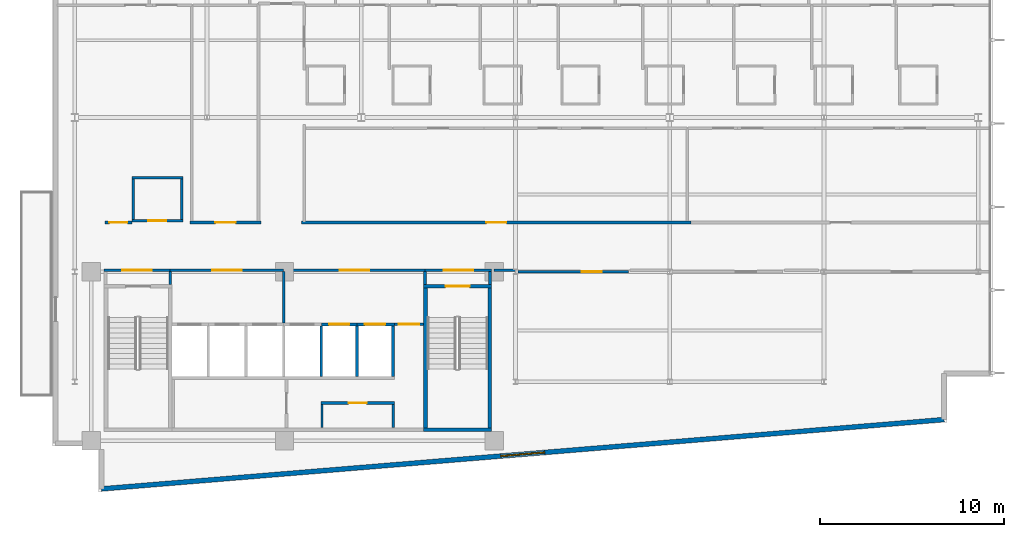
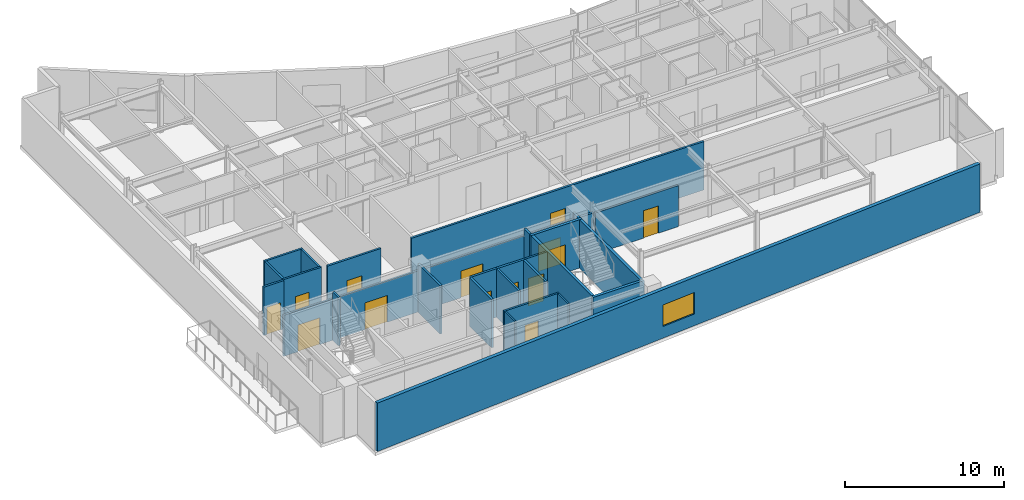
# One storey, part 11 of 17: 31 walls, 14 doors, 1 window, 15 openings.
"""IFC4 building model written with IfcOpenShell, lengths in metres."""

import ifcopenshell
import ifcopenshell.guid

model = None  # the IFC model being written
_history = None  # IfcOwnerHistory: only IFC2X3 demands one
_inside = {}  # id of a spatial element -> (the spatial element, [elements in it])
_under = {}  # id of a project, library or spatial element -> (it, [spatial elements below it])
_declared = {}  # id of a project -> (the project, [libraries it declares])
_typed = {}  # id of a type object -> (the type object, [elements of that type])
_made_of = {}  # id of a material, layer set ... -> (it, [elements and type objects made of it])


def new_model(schema):
    """Start an empty IFC model of exactly this schema.

    Asked for "IFC4X3", IfcOpenShell would pick the latest addendum, in which some entities
    have other attributes; the version numbers below select the first issue.
    IFC2X3 requires an IfcOwnerHistory on every rooted entity: one is made here for all.
    """
    global model, _history
    if schema == "IFC4X3":
        model = ifcopenshell.file(schema_version=(4, 3, 0, 0))
    else:
        model = ifcopenshell.file(schema=schema)
    _inside.clear()
    _under.clear()
    _declared.clear()
    _typed.clear()
    _made_of.clear()
    _history = None
    if model.schema == "IFC2X3":
        org = make("IfcOrganization", Name="unknown")
        user = make(
            "IfcPersonAndOrganization",
            ThePerson=make("IfcPerson", FamilyName="unknown"),
            TheOrganization=org,
        )
        app = make(
            "IfcApplication",
            ApplicationDeveloper=org,
            Version="unknown",
            ApplicationFullName="unknown",
            ApplicationIdentifier="unknown",
        )
        _history = make(
            "IfcOwnerHistory",
            OwningUser=user,
            OwningApplication=app,
            ChangeAction="ADDED",
            CreationDate=0,
        )
    return model


def make(cls, **values):
    """One entity of the class cls with the attributes given. An attribute that is None is left unset."""
    return model.create_entity(
        cls, **{name: value for name, value in values.items() if value is not None}
    )


def rooted(cls, **values):
    """An entity with a GlobalId (a new one), such as an element, a storey or a relation."""
    return make(cls, GlobalId=ifcopenshell.guid.new(), OwnerHistory=_history, **values)


def si_unit(unit_type, name, prefix=None):
    """IfcSIUnit, for example si_unit("LENGTHUNIT", "METRE", prefix="MILLI")."""
    return make("IfcSIUnit", UnitType=unit_type, Prefix=prefix, Name=name)


def assignment(units):
    """IfcUnitAssignment: the units of a project."""
    return None if units is None else make("IfcUnitAssignment", Units=units)


def point(xyz):
    """IfcCartesianPoint."""
    return None if xyz is None else make("IfcCartesianPoint", Coordinates=xyz)


def direction(xyz):
    """IfcDirection."""
    return None if xyz is None else make("IfcDirection", DirectionRatios=xyz)


def frame(location, z_axis=None, x_axis=None):
    """IfcAxis2Placement3D, a coordinate frame: its origin and axes. An axis left out is left unset."""
    return make(
        "IfcAxis2Placement3D",
        Location=point(location),
        Axis=direction(z_axis),
        RefDirection=direction(x_axis),
    )


def frame_2d(location, x_axis=None):
    """IfcAxis2Placement2D, a coordinate frame in the plane: its origin and x axis."""
    return make(
        "IfcAxis2Placement2D", Location=point(location), RefDirection=direction(x_axis)
    )


def origin():
    """The frame at (0, 0, 0) with its axes left unset."""
    return frame((0.0, 0.0, 0.0))


def place(relative_to, where):
    """IfcLocalPlacement: puts the frame where relative to a parent placement (None: the world)."""
    return make(
        "IfcLocalPlacement", PlacementRelTo=relative_to, RelativePlacement=where
    )


def context(
    kind, dimensions, precision=None, world=None, true_north=None, identifier=None
):
    """IfcGeometricRepresentationContext, for example the 3D "Model" context."""
    return make(
        "IfcGeometricRepresentationContext",
        ContextIdentifier=identifier,
        ContextType=kind,
        CoordinateSpaceDimension=dimensions,
        Precision=precision,
        WorldCoordinateSystem=world,
        TrueNorth=true_north,
    )


def subcontext(parent, identifier, kind, view, scale=None):
    """IfcGeometricRepresentationSubContext, for example "Body" below "Model"."""
    return make(
        "IfcGeometricRepresentationSubContext",
        ContextIdentifier=identifier,
        ContextType=kind,
        ParentContext=parent,
        TargetScale=scale,
        TargetView=view,
    )


def project(units=None, contexts=None):
    """IfcProject with its units and contexts."""
    return rooted(
        "IfcProject",
        Name="project",
        RepresentationContexts=contexts,
        UnitsInContext=assignment(units),
    )


def spatial(cls, under=None, at=None, **own):
    """A site, building, storey or space (cls), placed at a placement, below another one or the project."""
    s = rooted(cls, ObjectPlacement=at, **own)
    if under is not None:
        _under.setdefault(under.id(), (under, []))[1].append(s)
    return s


def profile(cls, at=None, kind="AREA", **sizes):
    """A parametric profile (cls). Its sizes go by their IFC names, for example OverallWidth=200.0."""
    return make(cls, ProfileType=kind, Position=at, **sizes)


def rectangle(**sizes):
    """IfcRectangleProfileDef."""
    return profile("IfcRectangleProfileDef", **sizes)


def extrude(swept, where, along, depth):
    """IfcExtrudedAreaSolid: the profile swept, set in the frame where, extruded along a direction by depth."""
    return make(
        "IfcExtrudedAreaSolid",
        SweptArea=swept,
        Position=where,
        ExtrudedDirection=direction(along),
        Depth=depth,
    )


def shape(context_of_items, identifier, shape_type, items):
    """IfcShapeRepresentation: the items that make up one representation, for example the "Body"."""
    return make(
        "IfcShapeRepresentation",
        ContextOfItems=context_of_items,
        RepresentationIdentifier=identifier,
        RepresentationType=shape_type,
        Items=items,
    )


def material(Name=None, Category=None):
    """IfcMaterial."""
    return make("IfcMaterial", Name=Name, Category=Category)


def layer(
    of_material, thickness, ventilated=None, Name=None, Category=None, Priority=None
):
    """IfcMaterialLayer: one layer of a wall or slab, of a material (None: an air gap)."""
    return make(
        "IfcMaterialLayer",
        Material=of_material,
        LayerThickness=thickness,
        IsVentilated=ventilated,
        Name=Name,
        Category=Category,
        Priority=Priority,
    )


def layer_set(layers, Name=None):
    """IfcMaterialLayerSet."""
    return make("IfcMaterialLayerSet", MaterialLayers=layers, LayerSetName=Name)


def made_of(thing, what):
    """Note that an element or type object is made of a material, layer set ...; save() writes the relation."""
    if what is not None:
        _made_of.setdefault(what.id(), (what, []))[1].append(thing)
    return thing


def type_object(cls, material=None, **own):
    """A type object (cls), such as IfcWallType, which elements share."""
    return made_of(rooted(cls, **own), material)


def element(
    cls,
    number,
    at=None,
    inside=None,
    cuts=None,
    type_object=None,
    material=None,
    context=None,
    identifier="Body",
    shape_type=None,
    held_by="IfcProductDefinitionShape",
    body=None,
    shapes=None,
    **own,
):
    """One element of the class cls, such as IfcWall. Its Tag is "e" and its number.

    at: its placement. inside: the storey or other place that contains it. cuts: it is an
    opening in that element (IfcRelVoidsElement). A single representation is given by context,
    identifier, shape_type and body (its items); several are given by shapes. held_by: the class
    of the entity that holds the representations. save() writes the other relations.
    """
    e = rooted(cls, Tag="e%d" % number, ObjectPlacement=at, **own)
    if body is not None:
        shapes = [shape(context, identifier, shape_type, body)]
    if shapes is not None:
        e.Representation = make(held_by, Representations=shapes)
    if inside is not None:
        _inside.setdefault(inside.id(), (inside, []))[1].append(e)
    if cuts is not None:
        rooted(
            "IfcRelVoidsElement", RelatingBuildingElement=cuts, RelatedOpeningElement=e
        )
    if type_object is not None:
        _typed.setdefault(type_object.id(), (type_object, []))[1].append(e)
    return made_of(e, material)


def fill(opening, filler):
    """IfcRelFillsElement: the door or window that sits in an opening."""
    return rooted(
        "IfcRelFillsElement",
        RelatingOpeningElement=opening,
        RelatedBuildingElement=filler,
    )


def aggregate(whole, parts):
    """IfcRelAggregates: a whole, such as a stair, and the parts it consists of."""
    return rooted("IfcRelAggregates", RelatingObject=whole, RelatedObjects=parts)


def save(model, path):
    """Write the relations noted so far, then the file.

    IfcRelAggregates (storeys below a building ...), IfcRelContainedInSpatialStructure (elements
    in a storey), IfcRelDefinesByType, IfcRelAssociatesMaterial and IfcRelDeclares: one each for
    every whole, place, type object, material and project.
    """
    for whole, parts in _under.values():
        aggregate(whole, parts)
    for where, things in _inside.values():
        rooted(
            "IfcRelContainedInSpatialStructure",
            RelatedElements=things,
            RelatingStructure=where,
        )
    for kind, things in _typed.values():
        rooted("IfcRelDefinesByType", RelatedObjects=things, RelatingType=kind)
    for what, things in _made_of.values():
        rooted("IfcRelAssociatesMaterial", RelatedObjects=things, RelatingMaterial=what)
    for by, libraries in _declared.values():
        rooted("IfcRelDeclares", RelatingContext=by, RelatedDefinitions=libraries)
    model.write(path)


model = new_model("IFC4")

# Units and contexts
model_context = context("Model", 3, precision=1e-05, world=origin(), true_north=direction((0.0, 1.0)))
body_context = subcontext(model_context, "Body", "Model", "MODEL_VIEW")
ifc_project = project(units=[si_unit("LENGTHUNIT", "METRE"), si_unit("AREAUNIT", "SQUARE_METRE"), si_unit("VOLUMEUNIT", "CUBIC_METRE"), si_unit("PLANEANGLEUNIT", "RADIAN"), si_unit("MASSUNIT", "GRAM", prefix="KILO")], contexts=[model_context])

# Site, building, storey
site_placement = place(None, origin())
site = spatial("IfcSite", under=ifc_project, at=site_placement, CompositionType="ELEMENT")
building_placement = place(site_placement, origin())
building = spatial("IfcBuilding", under=site, at=building_placement, Name="Varnakote Quay Hospital", CompositionType="ELEMENT")
storey_placement = place(building_placement, frame((0.0, 0.0, 219.75)))
storey = spatial("IfcBuildingStorey", under=building, at=storey_placement, Name="L54", CompositionType="ELEMENT", Elevation=219.75)

# Wall, opening, door
ifc_material_1 = material(Name="Fire-rated acoustic gypsum stud wall", Category="gypsum")
ifc_layer_1 = layer(ifc_material_1, 0.159912109375)
ifc_layer_set_1 = layer_set([ifc_layer_1], Name="Fire-rated acoustic gypsum stud wall")
wall_type_1 = type_object("IfcWallType", Name="WL-COMP-160", PredefinedType="PARTITIONING", material=ifc_layer_set_1)
wall_1_placement = place(storey_placement, frame((2.800048828125, 12.080078125, 0.0), z_axis=(0.0, 0.0, 1.0), x_axis=(1.0, 0.0, 0.0)))
wall_1 = element("IfcWall", 1, at=wall_1_placement, inside=storey, type_object=wall_type_1, Name="L54 West Stair Vestibule Smoke Wall", PredefinedType="PARTITIONING", context=body_context, shape_type="SweptSolid", body=[
    extrude(rectangle(XDim=3.599853515625, YDim=0.159912109375, at=frame_2d((1.7998046875, 0.0))), origin(), (0.0, 0.0, 1.0), 3.152099609375),
])
opening_1_placement = place(wall_1_placement, frame((1.0, 0.0, 0.0)))
opening_1 = element("IfcOpeningElement", 2, at=opening_1_placement, cuts=wall_1, Name="Opening D-ST1L-L54", PredefinedType="OPENING", context=body_context, shape_type="SweptSolid", body=[
    extrude(rectangle(XDim=1.60009765625, YDim=2.050048828125, at=frame_2d((0.800048828125, 1.02490234375))), frame((0.0, 0.08984375, 0.0), z_axis=(0.0, -1.0, 0.0), x_axis=(1.0, 0.0, 0.0)), (0.0, 0.0, 1.0), 0.179931640625),
])
ifc_material_2 = material(Name="Fire-rated double smoke lobby door")
door_type_1 = type_object("IfcDoorType", Name="DR-LOBBY-FD60S-1600x2150", OperationType="NOTDEFINED", PredefinedType="DOOR", material=ifc_material_2)
door_1_placement = place(opening_1_placement, origin())
door_1 = element("IfcDoor", 3, at=door_1_placement, inside=storey, type_object=door_type_1, Name="L54 West Stair Vestibule Smoke Door", OperationType="DOUBLE_DOOR_SINGLE_SWING", OverallHeight=2.050048828125, OverallWidth=1.60009765625, PredefinedType="DOOR", context=body_context, shape_type="SweptSolid", body=[
    extrude(rectangle(XDim=1.60009765625, YDim=2.050048828125, at=frame_2d((0.800048828125, 1.02490234375))), frame((0.0, 0.02490234375, 0.0), z_axis=(0.0, -1.0, 0.0), x_axis=(1.0, 0.0, 0.0)), (0.0, 0.0, 1.0), 0.050048828125),
])
fill(opening_1, door_1)

# Wall
wall_2_placement = place(storey_placement, frame((6.39990234375, 11.300048828125, 0.0), z_axis=(0.0, 0.0, 1.0), x_axis=(0.0, 1.0, 0.0)))
element("IfcWall", 4, at=wall_2_placement, inside=storey, type_object=wall_type_1, Name="L54 Firefighting Lobby West Wall", PredefinedType="PARTITIONING", context=body_context, shape_type="SweptSolid", body=[
    extrude(rectangle(XDim=0.699951171875, YDim=0.159912109375, at=frame_2d((0.35009765625, 0.0))), origin(), (0.0, 0.0, 1.0), 3.7099609375),
])

# Wall, opening, door
wall_3_placement = place(storey_placement, frame((6.39990234375, 12.080078125, 0.0), z_axis=(0.0, 0.0, 1.0), x_axis=(1.0, 0.0, 0.0)))
wall_3 = element("IfcWall", 5, at=wall_3_placement, inside=storey, type_object=wall_type_1, Name="L54 Firefighting Lift Lobby Compartment Wall", PredefinedType="PARTITIONING", context=body_context, shape_type="SweptSolid", body=[
    extrude(rectangle(XDim=6.18017578125, YDim=0.159912109375, at=frame_2d((3.090087890625, 0.0))), origin(), (0.0, 0.0, 1.0), 3.152099609375),
])
opening_2_placement = place(wall_3_placement, frame((2.2900390625, 0.0, 0.0)))
opening_2 = element("IfcOpeningElement", 6, at=opening_2_placement, cuts=wall_3, Name="Opening D-FFL-L54", PredefinedType="OPENING", context=body_context, shape_type="SweptSolid", body=[
    extrude(rectangle(XDim=1.60009765625, YDim=2.050048828125, at=frame_2d((0.800048828125, 1.02490234375))), frame((0.0, 0.08984375, 0.0), z_axis=(0.0, -1.0, 0.0), x_axis=(1.0, 0.0, 0.0)), (0.0, 0.0, 1.0), 0.179931640625),
])
door_2_placement = place(opening_2_placement, origin())
door_2 = element("IfcDoor", 7, at=door_2_placement, inside=storey, type_object=door_type_1, Name="L54 Firefighting Smoke Vestibule Door", OperationType="DOUBLE_DOOR_SINGLE_SWING", OverallHeight=2.050048828125, OverallWidth=1.60009765625, PredefinedType="DOOR", context=body_context, shape_type="SweptSolid", body=[
    extrude(rectangle(XDim=1.60009765625, YDim=2.050048828125, at=frame_2d((0.800048828125, 1.02490234375))), frame((0.0, 0.02490234375, 0.0), z_axis=(0.0, -1.0, 0.0), x_axis=(1.0, 0.0, 0.0)), (0.0, 0.0, 1.0), 0.050048828125),
])
fill(opening_2, door_2)

# Wall
wall_4_placement = place(storey_placement, frame((12.580078125, 9.2099609375, 0.0), z_axis=(0.0, 0.0, 1.0), x_axis=(0.0, 1.0, 0.0)))
element("IfcWall", 8, at=wall_4_placement, inside=storey, type_object=wall_type_1, Name="L54 Firefighting to Service Lobby Wall", PredefinedType="PARTITIONING", context=body_context, shape_type="SweptSolid", body=[
    extrude(rectangle(XDim=2.7900390625, YDim=0.159912109375, at=frame_2d((1.39501953125, 0.0))), origin(), (0.0, 0.0, 1.0), 3.7099609375),
])

# Wall, opening, door
wall_5_placement = place(storey_placement, frame((12.580078125, 12.080078125, 0.0), z_axis=(0.0, 0.0, 1.0), x_axis=(1.0, 0.0, 0.0)))
wall_5 = element("IfcWall", 9, at=wall_5_placement, inside=storey, type_object=wall_type_1, Name="L54 Clinical Bed Lift Lobby Wall", PredefinedType="PARTITIONING", context=body_context, shape_type="SweptSolid", body=[
    extrude(rectangle(XDim=7.699951171875, YDim=0.159912109375, at=frame_2d((3.85009765625, 0.0))), origin(), (0.0, 0.0, 1.0), 3.152099609375),
])
opening_3_placement = place(wall_5_placement, frame((3.050048828125, 0.0, 0.0)))
opening_3 = element("IfcOpeningElement", 10, at=opening_3_placement, cuts=wall_5, Name="Opening D-SVL-L54", PredefinedType="OPENING", context=body_context, shape_type="SweptSolid", body=[
    extrude(rectangle(XDim=1.60009765625, YDim=2.050048828125, at=frame_2d((0.800048828125, 1.02490234375))), frame((0.0, 0.08984375, 0.0), z_axis=(0.0, -1.0, 0.0), x_axis=(1.0, 0.0, 0.0)), (0.0, 0.0, 1.0), 0.179931640625),
])
door_3_placement = place(opening_3_placement, origin())
door_3 = element("IfcDoor", 11, at=door_3_placement, inside=storey, type_object=door_type_1, Name="L54 Clinical Core Smoke Vestibule Door", OperationType="DOUBLE_DOOR_SINGLE_SWING", OverallHeight=2.050048828125, OverallWidth=1.60009765625, PredefinedType="DOOR", context=body_context, shape_type="SweptSolid", body=[
    extrude(rectangle(XDim=1.60009765625, YDim=2.050048828125, at=frame_2d((0.800048828125, 1.02490234375))), frame((0.0, 0.02490234375, 0.0), z_axis=(0.0, -1.0, 0.0), x_axis=(1.0, 0.0, 0.0)), (0.0, 0.0, 1.0), 0.050048828125),
])
fill(opening_3, door_3)

# Wall
wall_6_placement = place(storey_placement, frame((20.280029296875, 11.300048828125, 0.0), z_axis=(0.0, 0.0, 1.0), x_axis=(0.0, 1.0, 0.0)))
element("IfcWall", 12, at=wall_6_placement, inside=storey, type_object=wall_type_1, Name="L54 East Stair Vestibule Divider Wall", PredefinedType="PARTITIONING", context=body_context, shape_type="SweptSolid", body=[
    extrude(rectangle(XDim=0.699951171875, YDim=0.159912109375, at=frame_2d((0.35009765625, 0.0))), origin(), (0.0, 0.0, 1.0), 3.7099609375),
])

# Wall, opening, door
wall_7_placement = place(storey_placement, frame((20.280029296875, 12.080078125, 0.0), z_axis=(0.0, 0.0, 1.0), x_axis=(1.0, 0.0, 0.0)))
wall_7 = element("IfcWall", 13, at=wall_7_placement, inside=storey, type_object=wall_type_1, Name="L54 East Stair Vestibule Smoke Wall", PredefinedType="PARTITIONING", context=body_context, shape_type="SweptSolid", body=[
    extrude(rectangle(XDim=3.619873046875, YDim=0.159912109375, at=frame_2d((1.81005859375, 0.0))), origin(), (0.0, 0.0, 1.0), 3.152099609375),
])
opening_4_placement = place(wall_7_placement, frame((1.010009765625, 0.0, 0.0)))
opening_4 = element("IfcOpeningElement", 14, at=opening_4_placement, cuts=wall_7, Name="Opening D-ST2L-L54", PredefinedType="OPENING", context=body_context, shape_type="SweptSolid", body=[
    extrude(rectangle(XDim=1.60009765625, YDim=2.050048828125, at=frame_2d((0.800048828125, 1.02490234375))), frame((0.0, 0.08984375, 0.0), z_axis=(0.0, -1.0, 0.0), x_axis=(1.0, 0.0, 0.0)), (0.0, 0.0, 1.0), 0.179931640625),
])
door_4_placement = place(opening_4_placement, origin())
door_4 = element("IfcDoor", 15, at=door_4_placement, inside=storey, type_object=door_type_1, Name="L54 East Stair Vestibule Smoke Door", OperationType="DOUBLE_DOOR_SINGLE_SWING", OverallHeight=2.050048828125, OverallWidth=1.60009765625, PredefinedType="DOOR", context=body_context, shape_type="SweptSolid", body=[
    extrude(rectangle(XDim=1.60009765625, YDim=2.050048828125, at=frame_2d((0.800048828125, 1.02490234375))), frame((0.0, 0.02490234375, 0.0), z_axis=(0.0, -1.0, 0.0), x_axis=(1.0, 0.0, 0.0)), (0.0, 0.0, 1.0), 0.050048828125),
])
fill(opening_4, door_4)

# Walls
wall_8_placement = place(storey_placement, frame((23.820068359375, 11.300048828125, 0.0), z_axis=(0.0, 0.0, 1.0), x_axis=(0.0, 1.0, 0.0)))
element("IfcWall", 16, at=wall_8_placement, inside=storey, type_object=wall_type_1, Name="L54 East Stair Vestibule East Wall", PredefinedType="PARTITIONING", context=body_context, shape_type="SweptSolid", body=[
    extrude(rectangle(XDim=0.699951171875, YDim=0.159912109375, at=frame_2d((0.35009765625, 0.0))), origin(), (0.0, 0.0, 1.0), 3.7099609375),
])
wall_9_placement = place(storey_placement, frame((24.02001953125, 12.080078125, 0.0), z_axis=(0.0, 0.0, 1.0), x_axis=(1.0, 0.0, 0.0)))
element("IfcWall", 17, at=wall_9_placement, inside=storey, type_object=wall_type_1, Name="L54 Corridor South Gap Wall", PredefinedType="PARTITIONING", context=body_context, shape_type="SweptSolid", body=[
    extrude(rectangle(XDim=1.21875, YDim=0.159912109375, at=frame_2d((0.609375, 0.0))), origin(), (0.0, 0.0, 1.0), 3.152099609375),
])

# Wall, opening, window
ifc_material_3 = material(Name="Precast concrete N50 (f'c 50 MPa)", Category="concrete")
ifc_layer_2 = layer(ifc_material_3, 0.260009765625)
ifc_layer_set_2 = layer_set([ifc_layer_2], Name="Precast concrete N50 (f'c 50 MPa)")
wall_type_2 = type_object("IfcWallType", Name="WL-EXT-BRICK-260", PredefinedType="STANDARD", material=ifc_layer_set_2)
wall_10_placement = place(storey_placement, frame((2.659912109375, 0.173583984375, 0.0), z_axis=(0.0, 0.0, 1.0), x_axis=(0.996634028439, 0.081979347142, 0.0)))
wall_10 = element("IfcWall", 18, at=wall_10_placement, inside=storey, type_object=wall_type_2, Name="L54 Brick-Faced Precast Exterior Wall", PredefinedType="STANDARD", context=body_context, shape_type="SweptSolid", body=[
    extrude(rectangle(XDim=46.03515625, YDim=0.260009765625, at=frame_2d((23.017578125, 0.0))), origin(), (0.0, 0.0, 1.0), 3.7099609375),
])
opening_5_placement = place(wall_10_placement, frame((21.8173828125, 0.0, 0.89990234375)))
opening_5 = element("IfcOpeningElement", 19, at=opening_5_placement, cuts=wall_10, Name="Opening WN-0222", PredefinedType="OPENING", context=body_context, shape_type="SweptSolid", body=[
    extrude(rectangle(XDim=2.39990234375, YDim=1.64990234375, at=frame_2d((1.199951171875, 0.824951171875))), frame((0.0, 0.139892578125, 0.0), z_axis=(0.0, -1.0, 0.0), x_axis=(1.0, 0.0, 0.0)), (0.0, 0.0, 1.0), 0.280029296875),
])
ifc_material_4 = material(Name="Double-glazed low-E solar glass", Category="glass")
window_type = type_object("IfcWindowType", Name="WIN-CLIN-2400x1650", PartitioningType="SINGLE_PANEL", PredefinedType="WINDOW", material=ifc_material_4)
window_placement = place(opening_5_placement, origin())
window = element("IfcWindow", 20, at=window_placement, inside=storey, type_object=window_type, Name="L54 Solar-Control Clinical Window", OverallHeight=1.64990234375, OverallWidth=2.39990234375, PartitioningType="SINGLE_PANEL", PredefinedType="WINDOW", context=body_context, shape_type="SweptSolid", body=[
    extrude(rectangle(XDim=2.39990234375, YDim=1.64990234375, at=frame_2d((1.199951171875, 0.824951171875))), frame((0.0, 0.030029296875, 0.0), z_axis=(0.0, -1.0, 0.0), x_axis=(1.0, 0.0, 0.0)), (0.0, 0.0, 1.0), 0.06005859375),
])
fill(opening_5, window)

# Walls
ifc_material_5 = material(Name="Concrete N50 (f'c 50 MPa)", Category="concrete")
ifc_layer_3 = layer(ifc_material_5, 0.14990234375)
ifc_layer_set_3 = layer_set([ifc_layer_3], Name="Concrete N50 (f'c 50 MPa)")
wall_type_3 = type_object("IfcWallType", Name="WL-SHAFT-N50-150", PredefinedType="SHEAR", material=ifc_layer_set_3)
for number, where, z_axis, x_axis, name in (
    (21, (14.625, 6.300048828125, 0.0), (0.0, 0.0, 1.0), (0.0, 1.0, 0.0), "L54 LF-SV2 Hoistway Divider Wall"),
    (22, (16.574951171875, 6.300048828125, 0.0), (0.0, 0.0, 1.0), (0.0, 1.0, 0.0), "L54 LF-PH1 Hoistway Divider Wall"),
):
    element("IfcWall", number, at=place(storey_placement, frame(where, z_axis=z_axis, x_axis=x_axis)), inside=storey, type_object=wall_type_3, Name=name, PredefinedType="SHEAR", context=body_context, shape_type="SweptSolid", body=[
        extrude(rectangle(XDim=2.75, YDim=0.14990234375, at=frame_2d((1.375, 0.0))), origin(), (0.0, 0.0, 1.0), 3.7099609375),
    ])
ifc_material_6 = material(Name="Concrete N50 (f'c 50 MPa)", Category="concrete")
ifc_layer_4 = layer(ifc_material_6, 0.159912109375)
ifc_layer_set_4 = layer_set([ifc_layer_4], Name="Concrete N50 (f'c 50 MPa)")
wall_type_4 = type_object("IfcWallType", Name="WL-SHAFT-N50-160", PredefinedType="SHEAR", material=ifc_layer_set_4)
wall_11_placement = place(storey_placement, frame((18.530029296875, 6.300048828125, 0.0), z_axis=(0.0, 0.0, 1.0), x_axis=(0.0, 1.0, 0.0)))
element("IfcWall", 23, at=wall_11_placement, inside=storey, type_object=wall_type_4, Name="L54 REAR Lift Bank East Shear Wall", PredefinedType="SHEAR", context=body_context, shape_type="SweptSolid", body=[
    extrude(rectangle(XDim=2.75, YDim=0.159912109375, at=frame_2d((1.375, 0.0))), origin(), (0.0, 0.0, 1.0), 3.7099609375),
])

# Wall, opening, door
wall_12_placement = place(storey_placement, frame((14.625, 9.1298828125, 0.0), z_axis=(0.0, 0.0, 1.0), x_axis=(1.0, 0.0, 0.0)))
wall_12 = element("IfcWall", 24, at=wall_12_placement, inside=storey, type_object=wall_type_4, Name="L54 LF-PH1 Hoistway Front Wall", PredefinedType="SHEAR", context=body_context, shape_type="SweptSolid", body=[
    extrude(rectangle(XDim=1.949951171875, YDim=0.159912109375, at=frame_2d((0.97509765625, 0.0))), origin(), (0.0, 0.0, 1.0), 3.7099609375),
])
opening_6_placement = place(wall_12_placement, frame((0.425048828125, 0.0, 0.0)))
opening_6 = element("IfcOpeningElement", 25, at=opening_6_placement, cuts=wall_12, Name="Opening LD-PH1-L54", PredefinedType="OPENING", context=body_context, shape_type="SweptSolid", body=[
    extrude(rectangle(XDim=1.10009765625, YDim=2.14990234375, at=frame_2d((0.550048828125, 1.074951171875))), frame((0.0, 0.08984375, 0.0), z_axis=(0.0, -1.0, 0.0), x_axis=(1.0, 0.0, 0.0)), (0.0, 0.0, 1.0), 0.179931640625),
])
ifc_material_7 = material(Name="Brushed bronze lift landing sliding door")
door_type_2 = type_object("IfcDoorType", Name="DR-LIFT-LD-1100x2150", OperationType="NOTDEFINED", PredefinedType="DOOR", material=ifc_material_7)
door_5_placement = place(opening_6_placement, origin())
door_5 = element("IfcDoor", 26, at=door_5_placement, inside=storey, type_object=door_type_2, Name="L54 LF-PH1 Lift Landing Sliding Door", OperationType="SLIDING_TO_LEFT", OverallHeight=2.14990234375, OverallWidth=1.10009765625, PredefinedType="DOOR", context=body_context, shape_type="SweptSolid", body=[
    extrude(rectangle(XDim=1.10009765625, YDim=2.14990234375, at=frame_2d((0.550048828125, 1.074951171875))), frame((0.0, 0.02490234375, 0.0), z_axis=(0.0, -1.0, 0.0), x_axis=(1.0, 0.0, 0.0)), (0.0, 0.0, 1.0), 0.050048828125),
])
fill(opening_6, door_5)

wall_13_placement = place(storey_placement, frame((16.574951171875, 9.1298828125, 0.0), z_axis=(0.0, 0.0, 1.0), x_axis=(1.0, 0.0, 0.0)))
wall_13 = element("IfcWall", 27, at=wall_13_placement, inside=storey, type_object=wall_type_4, Name="L54 LF-PH2 Hoistway Front Wall", PredefinedType="SHEAR", context=body_context, shape_type="SweptSolid", body=[
    extrude(rectangle(XDim=2.03515625, YDim=0.159912109375, at=frame_2d((1.017578125, 0.0))), origin(), (0.0, 0.0, 1.0), 3.7099609375),
])
opening_7_placement = place(wall_13_placement, frame((0.425048828125, 0.0, 0.0)))
opening_7 = element("IfcOpeningElement", 28, at=opening_7_placement, cuts=wall_13, Name="Opening LD-PH2-L54", PredefinedType="OPENING", context=body_context, shape_type="SweptSolid", body=[
    extrude(rectangle(XDim=1.10009765625, YDim=2.14990234375, at=frame_2d((0.550048828125, 1.074951171875))), frame((0.0, 0.08984375, 0.0), z_axis=(0.0, -1.0, 0.0), x_axis=(1.0, 0.0, 0.0)), (0.0, 0.0, 1.0), 0.179931640625),
])
door_6_placement = place(opening_7_placement, origin())
door_6 = element("IfcDoor", 29, at=door_6_placement, inside=storey, type_object=door_type_2, Name="L54 LF-PH2 Lift Landing Sliding Door", OperationType="SLIDING_TO_LEFT", OverallHeight=2.14990234375, OverallWidth=1.10009765625, PredefinedType="DOOR", context=body_context, shape_type="SweptSolid", body=[
    extrude(rectangle(XDim=1.10009765625, YDim=2.14990234375, at=frame_2d((0.550048828125, 1.074951171875))), frame((0.0, 0.02490234375, 0.0), z_axis=(0.0, -1.0, 0.0), x_axis=(1.0, 0.0, 0.0)), (0.0, 0.0, 1.0), 0.050048828125),
])
fill(opening_7, door_6)

# Walls
ifc_material_8 = material(Name="Concrete N50 (f'c 50 MPa)", Category="concrete")
ifc_layer_5 = layer(ifc_material_8, 0.199951171875)
ifc_layer_set_5 = layer_set([ifc_layer_5], Name="Concrete N50 (f'c 50 MPa)")
wall_type_5 = type_object("IfcWallType", Name="WL-SHAFT-N50-200", PredefinedType="SHEAR", material=ifc_layer_set_5)
wall_14_placement = place(storey_placement, frame((20.199951171875, 3.39990234375, 0.0), z_axis=(0.0, 0.0, 1.0), x_axis=(1.0, 0.0, 0.0)))
element("IfcWall", 30, at=wall_14_placement, inside=storey, type_object=wall_type_5, Name="L54 Stair ST2 South Shaft Wall", PredefinedType="SHEAR", context=body_context, shape_type="SweptSolid", body=[
    extrude(rectangle(XDim=3.699951171875, YDim=0.199951171875, at=frame_2d((1.85009765625, 0.0))), origin(), (0.0, 0.0, 1.0), 3.7099609375),
])
for number, where, z_axis, x_axis, name in (
    (31, (20.300048828125, 3.5, 0.0), (0.0, 0.0, 1.0), (0.0, 1.0, 0.0), "L54 Stair ST2 West Shaft Wall"),
    (32, (23.800048828125, 3.5, 0.0), (0.0, 0.0, 1.0), (0.0, 1.0, 0.0), "L54 Stair ST2 East Shaft Wall"),
):
    element("IfcWall", number, at=place(storey_placement, frame(where, z_axis=z_axis, x_axis=x_axis)), inside=storey, type_object=wall_type_5, Name=name, PredefinedType="SHEAR", context=body_context, shape_type="SweptSolid", body=[
        extrude(rectangle(XDim=7.60009765625, YDim=0.199951171875, at=frame_2d((3.800048828125, 0.0))), origin(), (0.0, 0.0, 1.0), 3.7099609375),
    ])

# Wall, opening, door
wall_15_placement = place(storey_placement, frame((20.199951171875, 11.199951171875, 0.0), z_axis=(0.0, 0.0, 1.0), x_axis=(1.0, 0.0, 0.0)))
wall_15 = element("IfcWall", 33, at=wall_15_placement, inside=storey, type_object=wall_type_5, Name="L54 Stair ST2 Exit Wall", PredefinedType="SHEAR", context=body_context, shape_type="SweptSolid", body=[
    extrude(rectangle(XDim=3.699951171875, YDim=0.199951171875, at=frame_2d((1.85009765625, 0.0))), origin(), (0.0, 0.0, 1.0), 3.7099609375),
])
opening_8_placement = place(wall_15_placement, frame((1.199951171875, 0.0, 0.0)))
opening_8 = element("IfcOpeningElement", 34, at=opening_8_placement, cuts=wall_15, Name="Opening D-ST2-L54", PredefinedType="OPENING", context=body_context, shape_type="SweptSolid", body=[
    extrude(rectangle(XDim=1.300048828125, YDim=2.14990234375, at=frame_2d((0.64990234375, 1.074951171875))), frame((0.0, 0.10986328125, 0.0), z_axis=(0.0, -1.0, 0.0), x_axis=(1.0, 0.0, 0.0)), (0.0, 0.0, 1.0), 0.219970703125),
])
ifc_material_9 = material(Name="Fire-rated ceramic-glazed timber exit door", Category="wood")
door_type_3 = type_object("IfcDoorType", Name="DR-STAIR-FD60S-1300x2150", OperationType="NOTDEFINED", PredefinedType="DOOR", material=ifc_material_9)
door_7_placement = place(opening_8_placement, origin())
door_7 = element("IfcDoor", 35, at=door_7_placement, inside=storey, type_object=door_type_3, Name="L54 Stair ST2 Fire Exit Door", OperationType="SINGLE_SWING_RIGHT", OverallHeight=2.14990234375, OverallWidth=1.300048828125, PredefinedType="DOOR", context=body_context, shape_type="SweptSolid", body=[
    extrude(rectangle(XDim=1.300048828125, YDim=2.14990234375, at=frame_2d((0.64990234375, 1.074951171875))), frame((0.0, 0.02490234375, 0.0), z_axis=(0.0, -1.0, 0.0), x_axis=(1.0, 0.0, 0.0)), (0.0, 0.0, 1.0), 0.050048828125),
])
fill(opening_8, door_7)

# Walls
ifc_material_10 = material(Name="Smoke-proof clinical partition", Category="gypsum")
ifc_layer_6 = layer(ifc_material_10, 0.1201171875)
ifc_layer_set_6 = layer_set([ifc_layer_6], Name="Smoke-proof clinical partition")
wall_type_6 = type_object("IfcWallType", Name="WL-SMOKE-120", PredefinedType="PARTITIONING", material=ifc_layer_set_6)
for number, where, z_axis, x_axis, name in (
    (36, (14.669921875, 3.52001953125, 0.0), (0.0, 0.0, 1.0), (0.0, 1.0, 0.0), "L54 Core WC West Wall"),
    (37, (18.5400390625, 3.52001953125, 0.0), (0.0, 0.0, 1.0), (0.0, 1.0, 0.0), "L54 Core WC East Wall"),
):
    element("IfcWall", number, at=place(storey_placement, frame(where, z_axis=z_axis, x_axis=x_axis)), inside=storey, type_object=wall_type_6, Name=name, PredefinedType="PARTITIONING", context=body_context, shape_type="SweptSolid", body=[
        extrude(rectangle(XDim=1.260009765625, YDim=0.1201171875, at=frame_2d((0.6298828125, 0.0))), origin(), (0.0, 0.0, 1.0), 3.7099609375),
    ])

# Wall, opening, door
ifc_material_11 = material(Name="Fire-rated clinical gypsum partition", Category="gypsum")
ifc_layer_7 = layer(ifc_material_11, 0.139892578125)
ifc_layer_set_7 = layer_set([ifc_layer_7], Name="Fire-rated clinical gypsum partition")
wall_type_7 = type_object("IfcWallType", Name="WL-WARD-140", PredefinedType="PARTITIONING", material=ifc_layer_set_7)
wall_16_placement = place(storey_placement, frame((14.60009765625, 4.85009765625, 0.0), z_axis=(0.0, 0.0, 1.0), x_axis=(1.0, 0.0, 0.0)))
wall_16 = element("IfcWall", 38, at=wall_16_placement, inside=storey, type_object=wall_type_7, Name="L54 Core Staff Sanitary WC North Wall", PredefinedType="PARTITIONING", context=body_context, shape_type="SweptSolid", body=[
    extrude(rectangle(XDim=4.0, YDim=0.139892578125, at=frame_2d((2.0, 0.0))), origin(), (0.0, 0.0, 1.0), 3.7099609375),
])
opening_9_placement = place(wall_16_placement, frame((1.510009765625, 0.0, 0.0)))
opening_9 = element("IfcOpeningElement", 39, at=opening_9_placement, cuts=wall_16, Name="Opening D-L54-CR02", PredefinedType="OPENING", context=body_context, shape_type="SweptSolid", body=[
    extrude(rectangle(XDim=0.97998046875, YDim=2.10009765625, at=frame_2d((0.489990234375, 1.050048828125))), frame((0.0, 0.079833984375, 0.0), z_axis=(0.0, -1.0, 0.0), x_axis=(1.0, 0.0, 0.0)), (0.0, 0.0, 1.0), 0.159912109375),
])
ifc_material_12 = material(Name="Accessible sanitary compartment door")
door_type_4 = type_object("IfcDoorType", Name="DR-WC-980x2100", OperationType="NOTDEFINED", PredefinedType="DOOR", material=ifc_material_12)
door_8_placement = place(opening_9_placement, origin())
door_8 = element("IfcDoor", 40, at=door_8_placement, inside=storey, type_object=door_type_4, Name="L54 Core Staff Sanitary WC Door", OperationType="SINGLE_SWING_RIGHT", OverallHeight=2.10009765625, OverallWidth=0.97998046875, PredefinedType="DOOR", context=body_context, shape_type="SweptSolid", body=[
    extrude(rectangle(XDim=0.97998046875, YDim=2.10009765625, at=frame_2d((0.489990234375, 1.050048828125))), frame((0.0, 0.02490234375, 0.0), z_axis=(0.0, -1.0, 0.0), x_axis=(1.0, 0.0, 0.0)), (0.0, 0.0, 1.0), 0.050048828125),
])
fill(opening_9, door_8)

wall_17_placement = place(storey_placement, frame((18.610107421875, 9.1298828125, 0.0), z_axis=(0.0, 0.0, 1.0), x_axis=(1.0, 0.0, 0.0)))
wall_17 = element("IfcWall", 41, at=wall_17_placement, inside=storey, type_object=wall_type_7, Name="L54 Core Service Corridor North Door Wall", PredefinedType="PARTITIONING", context=body_context, shape_type="SweptSolid", body=[
    extrude(rectangle(XDim=1.58984375, YDim=0.139892578125, at=frame_2d((0.794921875, 0.0))), origin(), (0.0, 0.0, 1.0), 3.7099609375),
])
opening_10_placement = place(wall_17_placement, frame((0.239990234375, 0.0, 0.0)))
opening_10 = element("IfcOpeningElement", 42, at=opening_10_placement, cuts=wall_17, Name="Opening D-CSRV-L54", PredefinedType="OPENING", context=body_context, shape_type="SweptSolid", body=[
    extrude(rectangle(XDim=1.10009765625, YDim=2.10009765625, at=frame_2d((0.550048828125, 1.050048828125))), frame((0.0, 0.079833984375, 0.0), z_axis=(0.0, -1.0, 0.0), x_axis=(1.0, 0.0, 0.0)), (0.0, 0.0, 1.0), 0.159912109375),
])
ifc_material_13 = material(Name="Acoustic timber clinical consult door", Category="wood")
door_type_5 = type_object("IfcDoorType", Name="DR-CLIN-FD30S-1100x2100", OperationType="NOTDEFINED", PredefinedType="DOOR", material=ifc_material_13)
door_9_placement = place(opening_10_placement, origin())
door_9 = element("IfcDoor", 43, at=door_9_placement, inside=storey, type_object=door_type_5, Name="L54 Core Service Corridor Door", OperationType="SINGLE_SWING_LEFT", OverallHeight=2.10009765625, OverallWidth=1.10009765625, PredefinedType="DOOR", context=body_context, shape_type="SweptSolid", body=[
    extrude(rectangle(XDim=1.10009765625, YDim=2.10009765625, at=frame_2d((0.550048828125, 1.050048828125))), frame((0.0, 0.02490234375, 0.0), z_axis=(0.0, -1.0, 0.0), x_axis=(1.0, 0.0, 0.0)), (0.0, 0.0, 1.0), 0.050048828125),
])
fill(opening_10, door_9)

wall_18_placement = place(storey_placement, frame((4.31005859375, 14.77001953125, 0.0), z_axis=(0.0, 0.0, 1.0), x_axis=(1.0, 0.0, 0.0)))
wall_18 = element("IfcWall", 44, at=wall_18_placement, inside=storey, type_object=wall_type_7, Name="L54 Floor Unisex Accessible WC S Wall", PredefinedType="PARTITIONING", context=body_context, shape_type="SweptSolid", body=[
    extrude(rectangle(XDim=2.780029296875, YDim=0.139892578125, at=frame_2d((1.39013671875, 0.0))), origin(), (0.0, 0.0, 1.0), 3.7099609375),
])
opening_11_placement = place(wall_18_placement, frame((0.89990234375, 0.0, 0.0)))
opening_11 = element("IfcOpeningElement", 45, at=opening_11_placement, cuts=wall_18, Name="Opening D-L54-EW01", PredefinedType="OPENING", context=body_context, shape_type="SweptSolid", body=[
    extrude(rectangle(XDim=0.97998046875, YDim=2.10009765625, at=frame_2d((0.489990234375, 1.050048828125))), frame((0.0, 0.079833984375, 0.0), z_axis=(0.0, -1.0, 0.0), x_axis=(1.0, 0.0, 0.0)), (0.0, 0.0, 1.0), 0.159912109375),
])
door_10_placement = place(opening_11_placement, origin())
door_10 = element("IfcDoor", 46, at=door_10_placement, inside=storey, type_object=door_type_4, Name="L54 Floor Unisex Accessible WC Door", OperationType="SINGLE_SWING_RIGHT", OverallHeight=2.10009765625, OverallWidth=0.97998046875, PredefinedType="DOOR", context=body_context, shape_type="SweptSolid", body=[
    extrude(rectangle(XDim=0.97998046875, YDim=2.10009765625, at=frame_2d((0.489990234375, 1.050048828125))), frame((0.0, 0.02490234375, 0.0), z_axis=(0.0, -1.0, 0.0), x_axis=(1.0, 0.0, 0.0)), (0.0, 0.0, 1.0), 0.050048828125),
])
fill(opening_11, door_10)

# Walls
wall_19_placement = place(storey_placement, frame((4.31005859375, 17.110107421875, 0.0), z_axis=(0.0, 0.0, 1.0), x_axis=(1.0, 0.0, 0.0)))
element("IfcWall", 47, at=wall_19_placement, inside=storey, type_object=wall_type_7, Name="L54 Floor Unisex Accessible WC N Wall", PredefinedType="PARTITIONING", context=body_context, shape_type="SweptSolid", body=[
    extrude(rectangle(XDim=2.780029296875, YDim=0.139892578125, at=frame_2d((1.39013671875, 0.0))), origin(), (0.0, 0.0, 1.0), 3.7099609375),
])
for number, where, z_axis, x_axis, name in (
    (48, (4.3798828125, 14.840087890625, 0.0), (0.0, 0.0, 1.0), (0.0, 1.0, 0.0), "L54 Floor Unisex Accessible WC W Wall"),
    (49, (7.02001953125, 14.840087890625, 0.0), (0.0, 0.0, 1.0), (0.0, 1.0, 0.0), "L54 Floor Unisex Accessible WC E Wall"),
):
    element("IfcWall", number, at=place(storey_placement, frame(where, z_axis=z_axis, x_axis=x_axis)), inside=storey, type_object=wall_type_7, Name=name, PredefinedType="PARTITIONING", context=body_context, shape_type="SweptSolid", body=[
        extrude(rectangle(XDim=2.199951171875, YDim=0.139892578125, at=frame_2d((1.10009765625, 0.0))), origin(), (0.0, 0.0, 1.0), 3.7099609375),
    ])

# Wall, opening, door
ifc_material_14 = material(Name="Fire-rated clinical gypsum partition", Category="gypsum")
ifc_layer_8 = layer(ifc_material_14, 0.14990234375)
ifc_layer_set_8 = layer_set([ifc_layer_8], Name="Fire-rated clinical gypsum partition")
wall_type_8 = type_object("IfcWallType", Name="WL-WARD-150", PredefinedType="PARTITIONING", material=ifc_layer_set_8)
wall_20_placement = place(storey_placement, frame((31.35009765625, 12.0, 0.0), z_axis=(0.0, 0.0, 1.0), x_axis=(-1.0, 0.0, 0.0)))
wall_20 = element("IfcWall", 50, at=wall_20_placement, inside=storey, type_object=wall_type_8, Name="L54 Clinical Interior Partition", PredefinedType="PARTITIONING", context=body_context, shape_type="SweptSolid", body=[
    extrude(rectangle(XDim=6.022216796875, YDim=0.14990234375, at=frame_2d((3.01123046875, 0.0))), origin(), (0.0, 0.0, 1.0), 3.152099609375),
])
opening_12_placement = place(wall_20_placement, frame((1.443603515625, 0.0, 0.0)))
opening_12 = element("IfcOpeningElement", 51, at=opening_12_placement, cuts=wall_20, Name="Opening D-L54-RL1", PredefinedType="OPENING", context=body_context, shape_type="SweptSolid", body=[
    extrude(rectangle(XDim=1.10009765625, YDim=2.10009765625, at=frame_2d((0.550048828125, 1.050048828125))), frame((0.0, 0.0849609375, 0.0), z_axis=(0.0, -1.0, 0.0), x_axis=(1.0, 0.0, 0.0)), (0.0, 0.0, 1.0), 0.169921875),
])
door_11_placement = place(opening_12_placement, origin())
door_11 = element("IfcDoor", 52, at=door_11_placement, inside=storey, type_object=door_type_5, Name="L54 Day Infusion Treatment Suite Door", OperationType="SINGLE_SWING_LEFT", OverallHeight=2.10009765625, OverallWidth=1.10009765625, PredefinedType="DOOR", context=body_context, shape_type="SweptSolid", body=[
    extrude(rectangle(XDim=1.10009765625, YDim=2.10009765625, at=frame_2d((0.550048828125, 1.050048828125))), frame((0.0, 0.02490234375, 0.0), z_axis=(0.0, -1.0, 0.0), x_axis=(1.0, 0.0, 0.0)), (0.0, 0.0, 1.0), 0.050048828125),
])
fill(opening_12, door_11)

wall_21_placement = place(storey_placement, frame((4.30810546875, 14.679931640625, 0.0), z_axis=(0.0, 0.0, 1.0), x_axis=(-1.0, 0.0, 0.0)))
wall_21 = element("IfcWall", 53, at=wall_21_placement, inside=storey, type_object=wall_type_8, Name="L54 Clinical Interior Partition", PredefinedType="PARTITIONING", context=body_context, shape_type="SweptSolid", body=[
    extrude(rectangle(XDim=1.4580078125, YDim=0.14990234375, at=frame_2d((0.72900390625, 0.0))), origin(), (0.0, 0.0, 1.0), 3.7099609375),
])
opening_13_placement = place(wall_21_placement, frame((0.239013671875, 0.0, 0.0)))
opening_13 = element("IfcOpeningElement", 54, at=opening_13_placement, cuts=wall_21, Name="Opening D-L54-DLNG", PredefinedType="OPENING", context=body_context, shape_type="SweptSolid", body=[
    extrude(rectangle(XDim=0.97998046875, YDim=2.10009765625, at=frame_2d((0.489990234375, 1.050048828125))), frame((0.0, 0.0849609375, 0.0), z_axis=(0.0, -1.0, 0.0), x_axis=(1.0, 0.0, 0.0)), (0.0, 0.0, 1.0), 0.169921875),
])
door_12_placement = place(opening_13_placement, origin())
door_12 = element("IfcDoor", 55, at=door_12_placement, inside=storey, type_object=door_type_4, Name="L54 Waterfront Patient & Family Dayroom Door", OperationType="SINGLE_SWING_RIGHT", OverallHeight=2.10009765625, OverallWidth=0.97998046875, PredefinedType="DOOR", context=body_context, shape_type="SweptSolid", body=[
    extrude(rectangle(XDim=0.97998046875, YDim=2.10009765625, at=frame_2d((0.489990234375, 1.050048828125))), frame((0.0, 0.02490234375, 0.0), z_axis=(0.0, -1.0, 0.0), x_axis=(1.0, 0.0, 0.0)), (0.0, 0.0, 1.0), 0.050048828125),
])
fill(opening_13, door_12)

wall_22_placement = place(storey_placement, frame((11.345947265625, 14.679931640625, 0.0), z_axis=(0.0, 0.0, 1.0), x_axis=(-1.0, 0.0, 0.0)))
wall_22 = element("IfcWall", 56, at=wall_22_placement, inside=storey, type_object=wall_type_8, Name="L54 Clinical Interior Partition", PredefinedType="PARTITIONING", context=body_context, shape_type="SweptSolid", body=[
    extrude(rectangle(XDim=3.871826171875, YDim=0.14990234375, at=frame_2d((1.93603515625, 0.0))), origin(), (0.0, 0.0, 1.0), 3.7099609375),
])
opening_14_placement = place(wall_22_placement, frame((1.385986328125, 0.0, 0.0)))
opening_14 = element("IfcOpeningElement", 57, at=opening_14_placement, cuts=wall_22, Name="Opening D-L54-WPNT", PredefinedType="OPENING", context=body_context, shape_type="SweptSolid", body=[
    extrude(rectangle(XDim=1.10009765625, YDim=2.10009765625, at=frame_2d((0.550048828125, 1.050048828125))), frame((0.0, 0.0849609375, 0.0), z_axis=(0.0, -1.0, 0.0), x_axis=(1.0, 0.0, 0.0)), (0.0, 0.0, 1.0), 0.169921875),
])
door_13_placement = place(opening_14_placement, origin())
door_13 = element("IfcDoor", 58, at=door_13_placement, inside=storey, type_object=door_type_5, Name="L54 Ward Clinical Nutrition Pantry Door", OperationType="SINGLE_SWING_LEFT", OverallHeight=2.10009765625, OverallWidth=1.10009765625, PredefinedType="DOOR", context=body_context, shape_type="SweptSolid", body=[
    extrude(rectangle(XDim=1.10009765625, YDim=2.10009765625, at=frame_2d((0.550048828125, 1.050048828125))), frame((0.0, 0.02490234375, 0.0), z_axis=(0.0, -1.0, 0.0), x_axis=(1.0, 0.0, 0.0)), (0.0, 0.0, 1.0), 0.050048828125),
])
fill(opening_14, door_13)

wall_23_placement = place(storey_placement, frame((34.76611328125, 14.679931640625, 0.0), z_axis=(0.0, 0.0, 1.0), x_axis=(-1.0, 0.0, 0.0)))
wall_23 = element("IfcWall", 59, at=wall_23_placement, inside=storey, type_object=wall_type_8, Name="L54 Clinical Interior Partition", PredefinedType="PARTITIONING", context=body_context, shape_type="SweptSolid", body=[
    extrude(rectangle(XDim=21.212158203125, YDim=0.14990234375, at=frame_2d((10.60595703125, 0.0))), origin(), (0.0, 0.0, 1.0), 3.7099609375),
])
opening_15_placement = place(wall_23_placement, frame((10.055908203125, 0.0, 0.0)))
opening_15 = element("IfcOpeningElement", 60, at=opening_15_placement, cuts=wall_23, Name="Opening D-L54-MD01", PredefinedType="OPENING", context=body_context, shape_type="SweptSolid", body=[
    extrude(rectangle(XDim=1.10009765625, YDim=2.10009765625, at=frame_2d((0.550048828125, 1.050048828125))), frame((0.0, 0.0849609375, 0.0), z_axis=(0.0, -1.0, 0.0), x_axis=(1.0, 0.0, 0.0)), (0.0, 0.0, 1.0), 0.169921875),
])
door_14_placement = place(opening_15_placement, origin())
door_14 = element("IfcDoor", 61, at=door_14_placement, inside=storey, type_object=door_type_5, Name="L54 Patient Restorative Dining Room Door", OperationType="SINGLE_SWING_RIGHT", OverallHeight=2.10009765625, OverallWidth=1.10009765625, PredefinedType="DOOR", context=body_context, shape_type="SweptSolid", body=[
    extrude(rectangle(XDim=1.10009765625, YDim=2.10009765625, at=frame_2d((0.550048828125, 1.050048828125))), frame((0.0, 0.02490234375, 0.0), z_axis=(0.0, -1.0, 0.0), x_axis=(1.0, 0.0, 0.0)), (0.0, 0.0, 1.0), 0.050048828125),
])
fill(opening_15, door_14)

save(model, "model.ifc")
